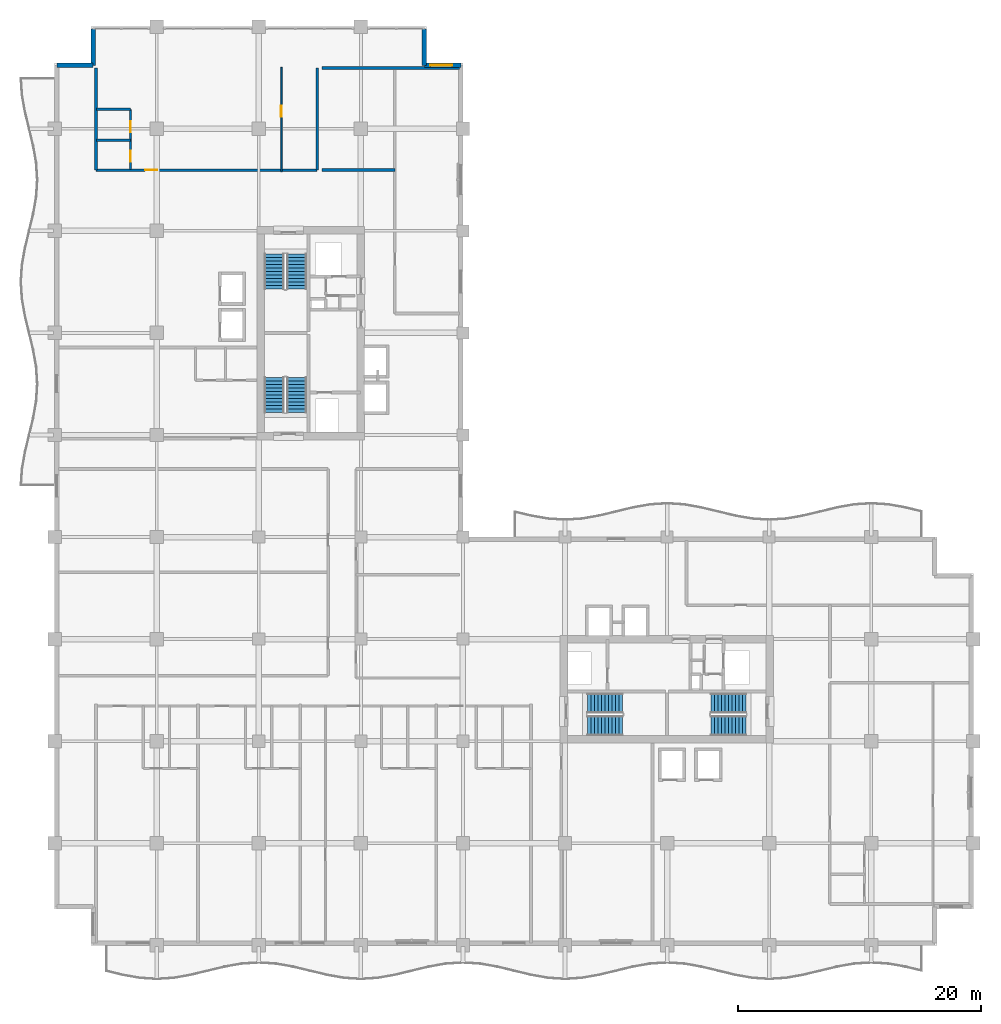
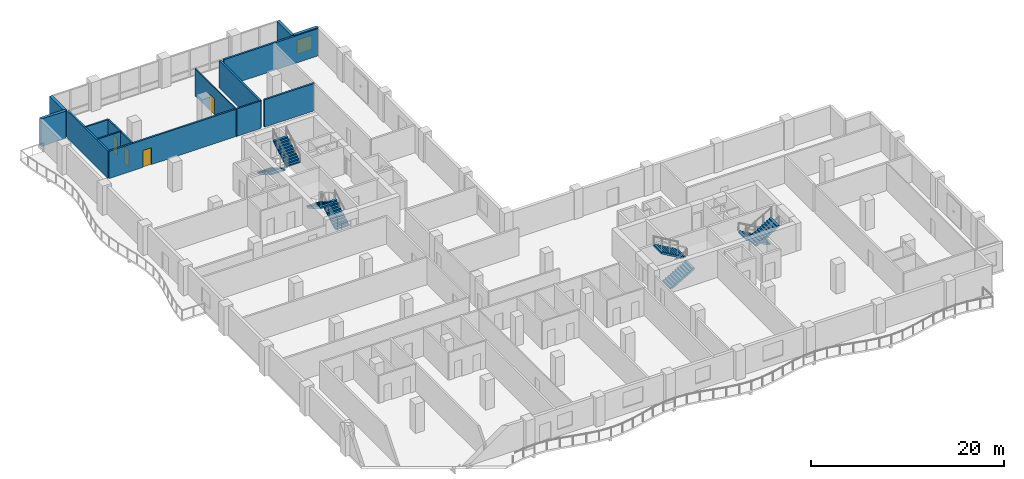
# One storey, part 12 of 18: 13 walls, 8 stair flights, 4 doors, 1 window, 5 openings, 4 elements without a shape of their own.
"""IFC4 building model written with IfcOpenShell, lengths in metres."""

from ifc_helpers import new_model, si_unit, direction, frame, frame_2d, origin, place, context, subcontext, project, spatial, polyline, rectangle, outline, extrude, material, layer, layer_set, type_object, element, fill, aggregate, save


model = new_model("IFC4")

# Units and contexts
model_context = context("Model", 3, precision=1e-05, world=origin(), true_north=direction((0.0, 1.0)))
body_context = subcontext(model_context, "Body", "Model", "MODEL_VIEW")
ifc_project = project(units=[si_unit("LENGTHUNIT", "METRE"), si_unit("AREAUNIT", "SQUARE_METRE"), si_unit("VOLUMEUNIT", "CUBIC_METRE"), si_unit("PLANEANGLEUNIT", "RADIAN"), si_unit("MASSUNIT", "GRAM", prefix="KILO")], contexts=[model_context])

# Site, building, storey
site_placement = place(None, origin())
site = spatial("IfcSite", under=ifc_project, at=site_placement, CompositionType="ELEMENT")
building_placement = place(site_placement, origin())
building = spatial("IfcBuilding", under=site, at=building_placement, Name="Koriwani Terraces Tower", CompositionType="ELEMENT")
storey_placement = place(building_placement, frame((0.0, 0.0, 205.0)))
storey = spatial("IfcBuildingStorey", under=building, at=storey_placement, Name="L50", CompositionType="ELEMENT", Elevation=205.0)

# Wall, opening, door
ifc_material_1 = material(Name="Autoclaved Cellular Concrete Blockwork", Category="masonry")
ifc_layer_1 = layer(ifc_material_1, 0.199951171875, Name="Autoclaved Cellular Concrete Blockwork")
ifc_layer_set_1 = layer_set([ifc_layer_1], Name="Autoclaved Cellular Concrete Blockwork")
wall_type_1 = type_object("IfcWallType", Name="WALL_CORRIDOR_200", PredefinedType="PARTITIONING", material=ifc_layer_set_1)
wall_1_placement = place(storey_placement, frame((3.39990234375, 63.800048828125, 0.0), z_axis=(0.0, 0.0, 1.0), x_axis=(1.0, 0.0, 0.0)))
wall_1 = element("IfcWall", 1, at=wall_1_placement, inside=storey, type_object=wall_type_1, Name="L50 Interior Wall WGB-L50-NWTIP-S", PredefinedType="PARTITIONING", context=body_context, shape_type="SweptSolid", body=[
    extrude(rectangle(XDim=18.2001953125, YDim=0.199951171875, at=frame_2d((9.10009765625, 0.0))), origin(), (0.0, 0.0, 1.0), 3.469970703125),
])
opening_1_placement = place(wall_1_placement, frame((4.050048828125, 0.0, 0.0)))
opening_1 = element("IfcOpeningElement", 2, at=opening_1_placement, cuts=wall_1, Name="Opening D-05", PredefinedType="OPENING", context=body_context, shape_type="SweptSolid", body=[
    extrude(rectangle(XDim=1.0, YDim=2.14990234375, at=frame_2d((0.5, 1.074951171875))), frame((0.0, 0.10986328125, 0.0), z_axis=(0.0, -1.0, 0.0), x_axis=(1.0, 0.0, 0.0)), (0.0, 0.0, 1.0), 0.219970703125),
])
ifc_material_2 = material(Name="Architectural Oak Fire Door", Category="wood")
door_type_1 = type_object("IfcDoorType", Name="DOOR_SUITE_ENTRY_1000X2150", OperationType="NOTDEFINED", PredefinedType="DOOR", material=ifc_material_2)
door_1_placement = place(opening_1_placement, origin())
door_1 = element("IfcDoor", 3, at=door_1_placement, inside=storey, type_object=door_type_1, Name="Grand Apartment 50NT Entrance Door", OperationType="SINGLE_SWING_LEFT", OverallHeight=2.14990234375, OverallWidth=1.0, PredefinedType="DOOR", context=body_context, shape_type="SweptSolid", body=[
    extrude(rectangle(XDim=1.0, YDim=2.14990234375, at=frame_2d((0.5, 1.074951171875))), frame((0.0, 0.02490234375, 0.0), z_axis=(0.0, -1.0, 0.0), x_axis=(1.0, 0.0, 0.0)), (0.0, 0.0, 1.0), 0.050048828125),
])
fill(opening_1, door_1)

# Walls
ifc_layer_2 = layer(ifc_material_1, 0.219970703125, Name="Autoclaved Cellular Concrete Blockwork")
ifc_layer_set_2 = layer_set([ifc_layer_2], Name="Autoclaved Cellular Concrete Blockwork")
wall_type_2 = type_object("IfcWallType", Name="WALL_DEMISING_220", PredefinedType="PARTITIONING", material=ifc_layer_set_2)
for number, where, z_axis, x_axis, name in (
    (4, (21.60009765625, 63.800048828125, 0.0), (0.0, 0.0, 1.0), (0.0, 1.0, 0.0), "L50 Interior Wall WGB-L50-NWTIP-E"),
    (5, (3.39990234375, 63.800048828125, 0.0), (0.0, 0.0, 1.0), (0.0, 1.0, 0.0), "L50 Interior Wall WGB-L50-NWTIP-W"),
):
    element("IfcWall", number, at=place(storey_placement, frame(where, z_axis=z_axis, x_axis=x_axis)), inside=storey, type_object=wall_type_2, Name=name, PredefinedType="PARTITIONING", context=body_context, shape_type="SweptSolid", body=[
        extrude(rectangle(XDim=8.39990234375, YDim=0.219970703125, at=frame_2d((4.199951171875, 0.0))), origin(), (0.0, 0.0, 1.0), 3.469970703125),
    ])
wall_2_placement = place(storey_placement, frame((22.0, 72.199951171875, 0.0), z_axis=(0.0, 0.0, 1.0), x_axis=(1.0, 0.0, 0.0)))
element("IfcWall", 6, at=wall_2_placement, inside=storey, type_object=wall_type_2, Name="L50 Interior Wall WNWT2-N-L50", PredefinedType="PARTITIONING", context=body_context, shape_type="SweptSolid", body=[
    extrude(rectangle(XDim=11.300048828125, YDim=0.219970703125, at=frame_2d((5.64990234375, 0.0))), origin(), (0.0, 0.0, 1.0), 3.469970703125),
])
wall_3_placement = place(storey_placement, frame((22.0, 63.800048828125, 0.0), z_axis=(0.0, 0.0, 1.0), x_axis=(1.0, 0.0, 0.0)))
element("IfcWall", 7, at=wall_3_placement, inside=storey, type_object=wall_type_2, Name="L50 Interior Wall WNWT2-WS-L50", PredefinedType="PARTITIONING", context=body_context, shape_type="SweptSolid", body=[
    extrude(rectangle(XDim=6.0, YDim=0.219970703125, at=frame_2d((3.0, 0.0))), origin(), (0.0, 0.0, 1.0), 3.469970703125),
])
ifc_material_3 = material(Name="Concrete C50/60", Category="concrete")
ifc_layer_3 = layer(ifc_material_3, 0.35009765625, Name="Concrete C50/60")
ifc_layer_set_3 = layer_set([ifc_layer_3], Name="Concrete C50/60")
wall_type_3 = type_object("IfcWallType", Name="WALL_EXT_BRUTALIST_350", PredefinedType="STANDARD", material=ifc_layer_set_3)
for number, where, z_axis, x_axis, name in (
    (8, (0.175048828125, 72.425048828125, 0.0), (0.0, 0.0, 1.0), (1.0, 0.0, 0.0), "L50 Fair-Faced Brutalist Exterior Wall (N3)"),
    (9, (3.175048828125, 72.425048828125, 0.0), (0.0, 0.0, 1.0), (0.0, 1.0, 0.0), "L50 Fair-Faced Brutalist Exterior Wall (N4)"),
    (10, (30.425048828125, 75.425048828125, 0.0), (0.0, 0.0, 1.0), (0.0, -1.0, 0.0), "L50 Fair-Faced Brutalist Exterior Wall (N6)"),
):
    element("IfcWall", number, at=place(storey_placement, frame(where, z_axis=z_axis, x_axis=x_axis)), inside=storey, type_object=wall_type_3, Name=name, PredefinedType="STANDARD", context=body_context, shape_type="SweptSolid", body=[
        extrude(rectangle(XDim=3.0, YDim=0.35009765625, at=frame_2d((1.5, 0.0))), origin(), (0.0, 0.0, 1.0), 3.469970703125),
    ])

# Wall, opening, window
wall_4_placement = place(storey_placement, frame((30.425048828125, 72.425048828125, 0.0), z_axis=(0.0, 0.0, 1.0), x_axis=(1.0, 0.0, 0.0)))
wall_4 = element("IfcWall", 11, at=wall_4_placement, inside=storey, type_object=wall_type_3, Name="L50 Fair-Faced Brutalist Exterior Wall (N7)", PredefinedType="STANDARD", context=body_context, shape_type="SweptSolid", body=[
    extrude(rectangle(XDim=3.0, YDim=0.35009765625, at=frame_2d((1.5, 0.0))), origin(), (0.0, 0.0, 1.0), 3.469970703125),
])
opening_2_placement = place(wall_4_placement, frame((0.487548828125, 0.0, 0.85009765625)))
opening_2 = element("IfcOpeningElement", 12, at=opening_2_placement, cuts=wall_4, Name="Opening W-04", PredefinedType="OPENING", context=body_context, shape_type="SweptSolid", body=[
    extrude(rectangle(XDim=1.800048828125, YDim=1.800048828125, at=frame_2d((0.89990234375, 0.89990234375))), frame((0.0, 0.18505859375, 0.0), z_axis=(0.0, -1.0, 0.0), x_axis=(1.0, 0.0, 0.0)), (0.0, 0.0, 1.0), 0.3701171875),
])
ifc_material_4 = material(Name="Tempered Laminated Low-E Glass", Category="glass")
window_type = type_object("IfcWindowType", Name="WIN_RES_BED_1800X1800", PartitioningType="DOUBLE_PANEL_VERTICAL", PredefinedType="WINDOW", material=ifc_material_4)
window_placement = place(opening_2_placement, origin())
window = element("IfcWindow", 13, at=window_placement, inside=storey, type_object=window_type, Name="L50 Exterior Window (N7-R51)", OverallHeight=1.800048828125, OverallWidth=1.800048828125, PartitioningType="SINGLE_PANEL", PredefinedType="WINDOW", context=body_context, shape_type="SweptSolid", body=[
    extrude(rectangle(XDim=1.800048828125, YDim=1.800048828125, at=frame_2d((0.89990234375, 0.89990234375))), frame((0.0, 0.030029296875, 0.0), z_axis=(0.0, -1.0, 0.0), x_axis=(1.0, 0.0, 0.0)), (0.0, 0.0, 1.0), 0.06005859375),
])
fill(opening_2, window)

# Wall, opening, door
ifc_material_5 = material(Name="Fire-Rated Acoustic Gypsum Partition", Category="masonry")
ifc_layer_4 = layer(ifc_material_5, 0.125, Name="Fire-Rated Acoustic Gypsum Partition")
ifc_layer_set_4 = layer_set([ifc_layer_4], Name="Fire-Rated Acoustic Gypsum Partition")
wall_type_4 = type_object("IfcWallType", Name="WALL_INT_125", PredefinedType="PARTITIONING", material=ifc_layer_set_4)
wall_5_placement = place(storey_placement, frame((18.64990234375, 63.64990234375, 0.0), z_axis=(0.0, 0.0, 1.0), x_axis=(0.0, 1.0, 0.0)))
wall_5 = element("IfcWall", 14, at=wall_5_placement, inside=storey, type_object=wall_type_4, Name="L50 Interior Wall WGB-L50-NWTIP-BD", PredefinedType="PARTITIONING", context=body_context, shape_type="SweptSolid", body=[
    extrude(rectangle(XDim=8.60009765625, YDim=0.125, at=frame_2d((4.300048828125, 0.0))), origin(), (0.0, 0.0, 1.0), 3.469970703125),
])
opening_3_placement = place(wall_5_placement, frame((4.530029296875, 0.0, 0.0)))
opening_3 = element("IfcOpeningElement", 15, at=opening_3_placement, cuts=wall_5, Name="Opening D-06", PredefinedType="OPENING", context=body_context, shape_type="SweptSolid", body=[
    extrude(rectangle(XDim=0.919921875, YDim=2.10009765625, at=frame_2d((0.4599609375, 1.050048828125))), frame((0.0, 0.072509765625, 0.0), z_axis=(0.0, -1.0, 0.0), x_axis=(1.0, 0.0, 0.0)), (0.0, 0.0, 1.0), 0.14501953125),
])
door_type_2 = type_object("IfcDoorType", Name="DOOR_ROOM_INT_920X2100", OperationType="NOTDEFINED", PredefinedType="DOOR", material=ifc_material_2)
door_2_placement = place(opening_3_placement, origin())
door_2 = element("IfcDoor", 16, at=door_2_placement, inside=storey, type_object=door_type_2, Name="Grand Apartment 50NT Master Suite Door", OperationType="SINGLE_SWING_RIGHT", OverallHeight=2.10009765625, OverallWidth=0.919921875, PredefinedType="DOOR", context=body_context, shape_type="SweptSolid", body=[
    extrude(rectangle(XDim=0.919921875, YDim=2.10009765625, at=frame_2d((0.4599609375, 1.050048828125))), frame((0.0, 0.02490234375, 0.0), z_axis=(0.0, -1.0, 0.0), x_axis=(1.0, 0.0, 0.0)), (0.0, 0.0, 1.0), 0.050048828125),
])
fill(opening_3, door_2)

# Wall, openings, doors
ifc_layer_5 = layer(ifc_material_5, 0.179931640625, Name="Fire-Rated Acoustic Gypsum Partition")
ifc_layer_set_5 = layer_set([ifc_layer_5], Name="Fire-Rated Acoustic Gypsum Partition")
wall_type_5 = type_object("IfcWallType", Name="WALL_PLUMBING_180", PredefinedType="PLUMBINGWALL", material=ifc_layer_set_5)
wall_6_placement = place(storey_placement, frame((6.25, 63.85009765625, 0.0), z_axis=(0.0, 0.0, 1.0), x_axis=(0.0, 1.0, 0.0)))
wall_6 = element("IfcWall", 17, at=wall_6_placement, inside=storey, type_object=wall_type_5, Name="L50 Interior Wall WGB-L50-NWTIP-SVB", PredefinedType="PLUMBINGWALL", context=body_context, shape_type="SweptSolid", body=[
    extrude(rectangle(XDim=4.949951171875, YDim=0.179931640625, at=frame_2d((2.47509765625, 0.0))), origin(), (0.0, 0.0, 1.0), 3.469970703125),
])
opening_4_placement = place(wall_6_placement, frame((0.64990234375, 0.0, 0.0)))
opening_4 = element("IfcOpeningElement", 18, at=opening_4_placement, cuts=wall_6, Name="Opening D-07", PredefinedType="OPENING", context=body_context, shape_type="SweptSolid", body=[
    extrude(rectangle(XDim=0.89990234375, YDim=2.10009765625, at=frame_2d((0.449951171875, 1.050048828125))), frame((0.0, 0.10009765625, 0.0), z_axis=(0.0, -1.0, 0.0), x_axis=(1.0, 0.0, 0.0)), (0.0, 0.0, 1.0), 0.199951171875),
])
opening_5_placement = place(wall_6_placement, frame((3.050048828125, 0.0, 0.0)))
opening_5 = element("IfcOpeningElement", 19, at=opening_5_placement, cuts=wall_6, Name="Opening D-06", PredefinedType="OPENING", context=body_context, shape_type="SweptSolid", body=[
    extrude(rectangle(XDim=0.919921875, YDim=2.10009765625, at=frame_2d((0.4599609375, 1.050048828125))), frame((0.0, 0.10009765625, 0.0), z_axis=(0.0, -1.0, 0.0), x_axis=(1.0, 0.0, 0.0)), (0.0, 0.0, 1.0), 0.199951171875),
])
door_type_3 = type_object("IfcDoorType", Name="DOOR_BATH_INT_900X2100", OperationType="NOTDEFINED", PredefinedType="DOOR", material=ifc_material_2)
door_3_placement = place(opening_4_placement, origin())
door_3 = element("IfcDoor", 20, at=door_3_placement, inside=storey, type_object=door_type_3, Name="Grand Apartment 50NT Bathroom Door", OperationType="SINGLE_SWING_RIGHT", OverallHeight=2.10009765625, OverallWidth=0.89990234375, PredefinedType="DOOR", context=body_context, shape_type="SweptSolid", body=[
    extrude(rectangle(XDim=0.89990234375, YDim=2.10009765625, at=frame_2d((0.449951171875, 1.050048828125))), frame((0.0, 0.02490234375, 0.0), z_axis=(0.0, -1.0, 0.0), x_axis=(1.0, 0.0, 0.0)), (0.0, 0.0, 1.0), 0.050048828125),
])
fill(opening_4, door_3)
door_4_placement = place(opening_5_placement, origin())
door_4 = element("IfcDoor", 21, at=door_4_placement, inside=storey, type_object=door_type_2, Name="Grand Apartment 50NT Kitchen Door", OperationType="SINGLE_SWING_LEFT", OverallHeight=2.10009765625, OverallWidth=0.919921875, PredefinedType="DOOR", context=body_context, shape_type="SweptSolid", body=[
    extrude(rectangle(XDim=0.919921875, YDim=2.10009765625, at=frame_2d((0.4599609375, 1.050048828125))), frame((0.0, 0.02490234375, 0.0), z_axis=(0.0, -1.0, 0.0), x_axis=(1.0, 0.0, 0.0)), (0.0, 0.0, 1.0), 0.050048828125),
])
fill(opening_5, door_4)

# Walls
for number, where, z_axis, x_axis, name in (
    (22, (3.449951171875, 66.25, 0.0), (0.0, 0.0, 1.0), (1.0, 0.0, 0.0), "L50 Interior Wall WGB-L50-NWTIP-SVM"),
    (23, (3.449951171875, 68.800048828125, 0.0), (0.0, 0.0, 1.0), (1.0, 0.0, 0.0), "L50 Interior Wall WGB-L50-NWTIP-SV2"),
):
    element("IfcWall", number, at=place(storey_placement, frame(where, z_axis=z_axis, x_axis=x_axis)), inside=storey, type_object=wall_type_5, Name=name, PredefinedType="PLUMBINGWALL", context=body_context, shape_type="SweptSolid", body=[
        extrude(rectangle(XDim=2.800048828125, YDim=0.179931640625, at=frame_2d((1.39990234375, 0.0))), origin(), (0.0, 0.0, 1.0), 3.469970703125),
    ])

# Stair, stair flights
ifc_material_6 = material(Name="Concrete C40/50", Category="concrete")
stair_type = type_object("IfcStairType", Name="STAIR_CORE_DOGLEG_1650", PredefinedType="TWO_STRAIGHT_RUN_STAIR", material=ifc_material_6)
stair_1_placement = place(storey_placement, origin())
stair_1 = element("IfcStair", 24, at=stair_1_placement, inside=storey, type_object=stair_type, Name="L50 West Core Exit Stair 1", PredefinedType="HALF_TURN_STAIR")
stair_flight_type = type_object("IfcStairFlightType", Name="STAIR_FLIGHT_RC_1650", PredefinedType="STRAIGHT", material=ifc_material_6)
stair_flight_1_placement = place(storey_placement, frame((19.925048828125, 43.85009765625, 0.0), z_axis=(0.0, 0.0, 1.0), x_axis=(0.0, 1.0, 0.0)))
stair_flight_1 = element("IfcStairFlight", 25, at=stair_flight_1_placement, type_object=stair_flight_type, Name="ST-W1 flight 1", NumberOfRisers=11, NumberOfTreads=10, PredefinedType="STRAIGHT", RiserHeight=0.168181818, TreadLength=0.29, context=body_context, shape_type="SweptSolid", body=[
    extrude(outline(polyline([(0.0, 0.0), (0.0, 0.168212890625), (0.2900390625, 0.168212890625), (0.2900390625, 0.33642578125), (0.580078125, 0.33642578125), (0.580078125, 0.504638671875), (0.8701171875, 0.504638671875), (0.8701171875, 0.672607421875), (1.159912109375, 0.672607421875), (1.159912109375, 0.8408203125), (1.449951171875, 0.8408203125), (1.449951171875, 1.009033203125), (1.739990234375, 1.009033203125), (1.739990234375, 1.17724609375), (2.030029296875, 1.17724609375), (2.030029296875, 1.345458984375), (2.320068359375, 1.345458984375), (2.320068359375, 1.513671875), (2.610107421875, 1.513671875), (2.610107421875, 1.681884765625), (2.89990234375, 1.681884765625), (2.89990234375, 1.85009765625), (2.89990234375, 1.473876953125), (0.358642578125, 0.0), (0.0, 0.0)])), frame((0.0, 0.824951171875, 0.0), z_axis=(0.0, -1.0, 0.0), x_axis=(1.0, 0.0, 0.0)), (0.0, 0.0, 1.0), 1.64990234375),
])
stair_flight_2_placement = place(storey_placement, frame((18.074951171875, 46.75, 1.85009765625), z_axis=(0.0, 0.0, 1.0), x_axis=(0.0, -1.0, 0.0)))
stair_flight_2 = element("IfcStairFlight", 26, at=stair_flight_2_placement, type_object=stair_flight_type, Name="ST-W1 flight 2", NumberOfRisers=11, NumberOfTreads=10, PredefinedType="STRAIGHT", RiserHeight=0.168181818, TreadLength=0.29, context=body_context, shape_type="SweptSolid", body=[
    extrude(outline(polyline([(0.0, 0.0), (0.0, 0.168212890625), (0.2900390625, 0.168212890625), (0.2900390625, 0.33642578125), (0.580078125, 0.33642578125), (0.580078125, 0.504638671875), (0.8701171875, 0.504638671875), (0.8701171875, 0.672607421875), (1.159912109375, 0.672607421875), (1.159912109375, 0.8408203125), (1.449951171875, 0.8408203125), (1.449951171875, 1.009033203125), (1.739990234375, 1.009033203125), (1.739990234375, 1.17724609375), (2.030029296875, 1.17724609375), (2.030029296875, 1.345458984375), (2.320068359375, 1.345458984375), (2.320068359375, 1.513671875), (2.610107421875, 1.513671875), (2.610107421875, 1.681884765625), (2.89990234375, 1.681884765625), (2.89990234375, 1.85009765625), (2.89990234375, 1.473876953125), (0.358642578125, 0.0), (0.0, 0.0)])), frame((0.0, 0.824951171875, 0.0), z_axis=(0.0, -1.0, 0.0), x_axis=(1.0, 0.0, 0.0)), (0.0, 0.0, 1.0), 1.64990234375),
])
aggregate(stair_1, [stair_flight_1, stair_flight_2])

stair_2_placement = place(storey_placement, origin())
stair_2 = element("IfcStair", 27, at=stair_2_placement, inside=storey, type_object=stair_type, Name="L50 West Core Exit Stair 2", PredefinedType="HALF_TURN_STAIR")
stair_flight_3_placement = place(storey_placement, frame((18.074951171875, 56.89990234375, 0.0), z_axis=(0.0, 0.0, 1.0), x_axis=(0.0, -1.0, 0.0)))
stair_flight_3 = element("IfcStairFlight", 28, at=stair_flight_3_placement, type_object=stair_flight_type, Name="ST-W2 flight 1", NumberOfRisers=11, NumberOfTreads=10, PredefinedType="STRAIGHT", RiserHeight=0.168181818, TreadLength=0.29, context=body_context, shape_type="SweptSolid", body=[
    extrude(outline(polyline([(0.0, 0.0), (0.0, 0.168212890625), (0.2900390625, 0.168212890625), (0.2900390625, 0.33642578125), (0.580078125, 0.33642578125), (0.580078125, 0.504638671875), (0.8701171875, 0.504638671875), (0.8701171875, 0.672607421875), (1.159912109375, 0.672607421875), (1.159912109375, 0.8408203125), (1.449951171875, 0.8408203125), (1.449951171875, 1.009033203125), (1.739990234375, 1.009033203125), (1.739990234375, 1.17724609375), (2.030029296875, 1.17724609375), (2.030029296875, 1.345458984375), (2.320068359375, 1.345458984375), (2.320068359375, 1.513671875), (2.610107421875, 1.513671875), (2.610107421875, 1.681884765625), (2.89990234375, 1.681884765625), (2.89990234375, 1.85009765625), (2.89990234375, 1.473876953125), (0.358642578125, 0.0), (0.0, 0.0)])), frame((0.0, 0.824951171875, 0.0), z_axis=(0.0, -1.0, 0.0), x_axis=(1.0, 0.0, 0.0)), (0.0, 0.0, 1.0), 1.64990234375),
])
stair_flight_4_placement = place(storey_placement, frame((19.925048828125, 54.0, 1.85009765625), z_axis=(0.0, 0.0, 1.0), x_axis=(0.0, 1.0, 0.0)))
stair_flight_4 = element("IfcStairFlight", 29, at=stair_flight_4_placement, type_object=stair_flight_type, Name="ST-W2 flight 2", NumberOfRisers=11, NumberOfTreads=10, PredefinedType="STRAIGHT", RiserHeight=0.168181818, TreadLength=0.29, context=body_context, shape_type="SweptSolid", body=[
    extrude(outline(polyline([(0.0, 0.0), (0.0, 0.168212890625), (0.2900390625, 0.168212890625), (0.2900390625, 0.33642578125), (0.580078125, 0.33642578125), (0.580078125, 0.504638671875), (0.8701171875, 0.504638671875), (0.8701171875, 0.672607421875), (1.159912109375, 0.672607421875), (1.159912109375, 0.8408203125), (1.449951171875, 0.8408203125), (1.449951171875, 1.009033203125), (1.739990234375, 1.009033203125), (1.739990234375, 1.17724609375), (2.030029296875, 1.17724609375), (2.030029296875, 1.345458984375), (2.320068359375, 1.345458984375), (2.320068359375, 1.513671875), (2.610107421875, 1.513671875), (2.610107421875, 1.681884765625), (2.89990234375, 1.681884765625), (2.89990234375, 1.85009765625), (2.89990234375, 1.473876953125), (0.358642578125, 0.0), (0.0, 0.0)])), frame((0.0, 0.824951171875, 0.0), z_axis=(0.0, -1.0, 0.0), x_axis=(1.0, 0.0, 0.0)), (0.0, 0.0, 1.0), 1.64990234375),
])
aggregate(stair_2, [stair_flight_3, stair_flight_4])

stair_3_placement = place(storey_placement, origin())
stair_3 = element("IfcStair", 30, at=stair_3_placement, inside=storey, type_object=stair_type, Name="L50 East Core Exit Stair 1", PredefinedType="HALF_TURN_STAIR")
stair_flight_5_placement = place(storey_placement, frame((43.85009765625, 18.074951171875, 0.0), z_axis=(0.0, 0.0, 1.0), x_axis=(1.0, 0.0, 0.0)))
stair_flight_5 = element("IfcStairFlight", 31, at=stair_flight_5_placement, type_object=stair_flight_type, Name="ST-E1 flight 1", NumberOfRisers=11, NumberOfTreads=10, PredefinedType="STRAIGHT", RiserHeight=0.168181818, TreadLength=0.29, context=body_context, shape_type="SweptSolid", body=[
    extrude(outline(polyline([(0.0, 0.0), (0.0, 0.168212890625), (0.2900390625, 0.168212890625), (0.2900390625, 0.33642578125), (0.580078125, 0.33642578125), (0.580078125, 0.504638671875), (0.8701171875, 0.504638671875), (0.8701171875, 0.672607421875), (1.159912109375, 0.672607421875), (1.159912109375, 0.8408203125), (1.449951171875, 0.8408203125), (1.449951171875, 1.009033203125), (1.739990234375, 1.009033203125), (1.739990234375, 1.17724609375), (2.030029296875, 1.17724609375), (2.030029296875, 1.345458984375), (2.320068359375, 1.345458984375), (2.320068359375, 1.513671875), (2.610107421875, 1.513671875), (2.610107421875, 1.681884765625), (2.89990234375, 1.681884765625), (2.89990234375, 1.85009765625), (2.89990234375, 1.473876953125), (0.358642578125, 0.0), (0.0, 0.0)])), frame((0.0, 0.824951171875, 0.0), z_axis=(0.0, -1.0, 0.0), x_axis=(1.0, 0.0, 0.0)), (0.0, 0.0, 1.0), 1.64990234375),
])
stair_flight_6_placement = place(storey_placement, frame((46.75, 19.925048828125, 1.85009765625), z_axis=(0.0, 0.0, 1.0), x_axis=(-1.0, 0.0, 0.0)))
stair_flight_6 = element("IfcStairFlight", 32, at=stair_flight_6_placement, type_object=stair_flight_type, Name="ST-E1 flight 2", NumberOfRisers=11, NumberOfTreads=10, PredefinedType="STRAIGHT", RiserHeight=0.168181818, TreadLength=0.29, context=body_context, shape_type="SweptSolid", body=[
    extrude(outline(polyline([(0.0, 0.0), (0.0, 0.168212890625), (0.2900390625, 0.168212890625), (0.2900390625, 0.33642578125), (0.580078125, 0.33642578125), (0.580078125, 0.504638671875), (0.8701171875, 0.504638671875), (0.8701171875, 0.672607421875), (1.159912109375, 0.672607421875), (1.159912109375, 0.8408203125), (1.449951171875, 0.8408203125), (1.449951171875, 1.009033203125), (1.739990234375, 1.009033203125), (1.739990234375, 1.17724609375), (2.030029296875, 1.17724609375), (2.030029296875, 1.345458984375), (2.320068359375, 1.345458984375), (2.320068359375, 1.513671875), (2.610107421875, 1.513671875), (2.610107421875, 1.681884765625), (2.89990234375, 1.681884765625), (2.89990234375, 1.85009765625), (2.89990234375, 1.473876953125), (0.358642578125, 0.0), (0.0, 0.0)])), frame((0.0, 0.824951171875, 0.0), z_axis=(0.0, -1.0, 0.0), x_axis=(1.0, 0.0, 0.0)), (0.0, 0.0, 1.0), 1.64990234375),
])
aggregate(stair_3, [stair_flight_5, stair_flight_6])

stair_4_placement = place(storey_placement, origin())
stair_4 = element("IfcStair", 33, at=stair_4_placement, inside=storey, type_object=stair_type, Name="L50 East Core Exit Stair 2", PredefinedType="HALF_TURN_STAIR")
stair_flight_7_placement = place(storey_placement, frame((56.89990234375, 19.925048828125, 0.0), z_axis=(0.0, 0.0, 1.0), x_axis=(-1.0, 0.0, 0.0)))
stair_flight_7 = element("IfcStairFlight", 34, at=stair_flight_7_placement, type_object=stair_flight_type, Name="ST-E2 flight 1", NumberOfRisers=11, NumberOfTreads=10, PredefinedType="STRAIGHT", RiserHeight=0.168181818, TreadLength=0.29, context=body_context, shape_type="SweptSolid", body=[
    extrude(outline(polyline([(0.0, 0.0), (0.0, 0.168212890625), (0.2900390625, 0.168212890625), (0.2900390625, 0.33642578125), (0.580078125, 0.33642578125), (0.580078125, 0.504638671875), (0.8701171875, 0.504638671875), (0.8701171875, 0.672607421875), (1.159912109375, 0.672607421875), (1.159912109375, 0.8408203125), (1.449951171875, 0.8408203125), (1.449951171875, 1.009033203125), (1.739990234375, 1.009033203125), (1.739990234375, 1.17724609375), (2.030029296875, 1.17724609375), (2.030029296875, 1.345458984375), (2.320068359375, 1.345458984375), (2.320068359375, 1.513671875), (2.610107421875, 1.513671875), (2.610107421875, 1.681884765625), (2.89990234375, 1.681884765625), (2.89990234375, 1.85009765625), (2.89990234375, 1.473876953125), (0.358642578125, 0.0), (0.0, 0.0)])), frame((0.0, 0.824951171875, 0.0), z_axis=(0.0, -1.0, 0.0), x_axis=(1.0, 0.0, 0.0)), (0.0, 0.0, 1.0), 1.64990234375),
])
stair_flight_8_placement = place(storey_placement, frame((54.0, 18.074951171875, 1.85009765625), z_axis=(0.0, 0.0, 1.0), x_axis=(1.0, 0.0, 0.0)))
stair_flight_8 = element("IfcStairFlight", 35, at=stair_flight_8_placement, type_object=stair_flight_type, Name="ST-E2 flight 2", NumberOfRisers=11, NumberOfTreads=10, PredefinedType="STRAIGHT", RiserHeight=0.168181818, TreadLength=0.29, context=body_context, shape_type="SweptSolid", body=[
    extrude(outline(polyline([(0.0, 0.0), (0.0, 0.168212890625), (0.2900390625, 0.168212890625), (0.2900390625, 0.33642578125), (0.580078125, 0.33642578125), (0.580078125, 0.504638671875), (0.8701171875, 0.504638671875), (0.8701171875, 0.672607421875), (1.159912109375, 0.672607421875), (1.159912109375, 0.8408203125), (1.449951171875, 0.8408203125), (1.449951171875, 1.009033203125), (1.739990234375, 1.009033203125), (1.739990234375, 1.17724609375), (2.030029296875, 1.17724609375), (2.030029296875, 1.345458984375), (2.320068359375, 1.345458984375), (2.320068359375, 1.513671875), (2.610107421875, 1.513671875), (2.610107421875, 1.681884765625), (2.89990234375, 1.681884765625), (2.89990234375, 1.85009765625), (2.89990234375, 1.473876953125), (0.358642578125, 0.0), (0.0, 0.0)])), frame((0.0, 0.824951171875, 0.0), z_axis=(0.0, -1.0, 0.0), x_axis=(1.0, 0.0, 0.0)), (0.0, 0.0, 1.0), 1.64990234375),
])
aggregate(stair_4, [stair_flight_7, stair_flight_8])

save(model, "model.ifc")
